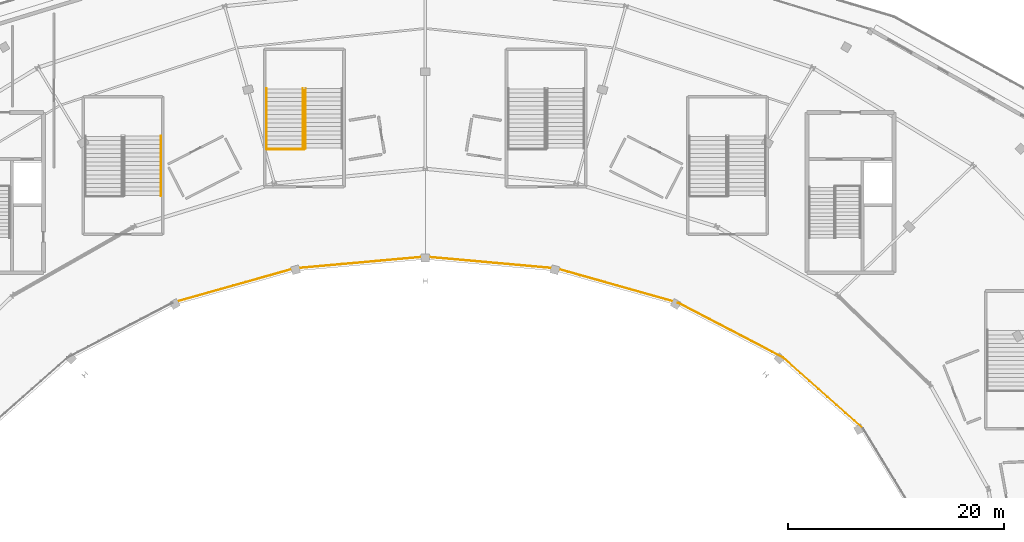
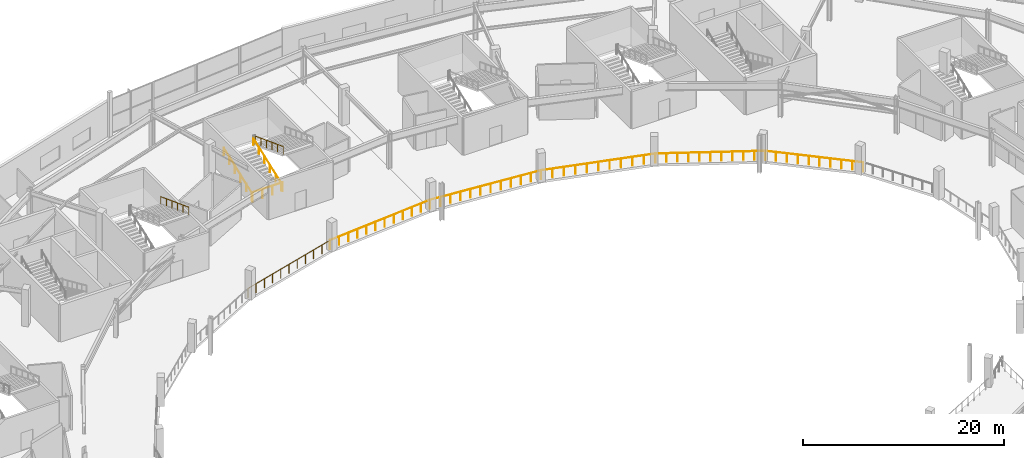
# One storey, part 115 of 123: 11 railings.
"""IFC4 building model written with IfcOpenShell, lengths in metres."""

from ifc_helpers import new_model, si_unit, direction, frame, origin, origin_2d, place, context, subcontext, project, spatial, circle, extrude, material, type_object, element, save


model = new_model("IFC4")

# Units and contexts
model_context = context("Model", 3, precision=1e-05, world=origin(), true_north=direction((0.0, 1.0)))
body_context = subcontext(model_context, "Body", "Model", "MODEL_VIEW")
ifc_project = project(units=[si_unit("LENGTHUNIT", "METRE"), si_unit("AREAUNIT", "SQUARE_METRE"), si_unit("VOLUMEUNIT", "CUBIC_METRE"), si_unit("PLANEANGLEUNIT", "RADIAN"), si_unit("MASSUNIT", "GRAM", prefix="KILO")], contexts=[model_context])

# Site, building, storey
site_placement = place(None, origin())
site = spatial("IfcSite", under=ifc_project, at=site_placement, CompositionType="ELEMENT")
building_placement = place(site_placement, origin())
building = spatial("IfcBuilding", under=site, at=building_placement, Name="Kalgoora Escarpment Arena", CompositionType="ELEMENT")
storey_placement = place(building_placement, frame((0.0, 0.0, 9.89990234375)))
storey = spatial("IfcBuildingStorey", under=building, at=storey_placement, Name="L02", CompositionType="ELEMENT", Elevation=9.89990234375)

# Railings
ifc_material_1 = material(Name="Galvanised & powdercoated tubular steel", Category="steel")
railing_type_1 = type_object("IfcRailingType", Name="RAL-GUARD-1120", PredefinedType="GUARDRAIL", material=ifc_material_1)
railing_1_placement = place(storey_placement, frame((77.7099609375, 105.81005859375, 0.0)))
element("IfcRailing", 1, at=railing_1_placement, inside=storey, type_object=railing_type_1, Name="ST10 L02 floor landing well guard", PredefinedType="GUARDRAIL", context=body_context, shape_type="SweptSolid", body=[
    extrude(circle(Radius=0.02392578125, at=origin_2d()), frame((0.0, 0.0, 1.09619140625), z_axis=(1.0, 0.0, 0.0), x_axis=(0.0, 1.0, 0.0)), (0.0, 0.0, 1.0), 3.489990234375),
    extrude(circle(Radius=0.02099609375, at=origin_2d()), origin(), (0.0, 0.0, 1.0), 1.072021484375),
    extrude(circle(Radius=0.02099609375, at=origin_2d()), frame((1.163330078125, 0.0, 0.0)), (0.0, 0.0, 1.0), 1.072021484375),
    extrude(circle(Radius=0.02099609375, at=origin_2d()), frame((2.32666015625, 0.0, 0.0)), (0.0, 0.0, 1.0), 1.072021484375),
    extrude(circle(Radius=0.02099609375, at=origin_2d()), frame((3.489990234375, 0.0, 0.0)), (0.0, 0.0, 1.0), 1.072021484375),
])
railing_2_placement = place(storey_placement, frame((132.973388671875, 79.925048828125, 0.0)))
element("IfcRailing", 2, at=railing_2_placement, inside=storey, type_object=railing_type_1, Name="L02 concourse bowl balustrade 03", PredefinedType="GUARDRAIL", context=body_context, shape_type="SweptSolid", body=[
    extrude(circle(Radius=0.02392578125, at=origin_2d()), frame((0.0, 0.0, 1.09619140625), z_axis=(-0.748487582417, 0.663148806051, 0.0), x_axis=(-0.663148806051, -0.748487582417, 0.0)), (0.0, 0.0, 1.0), 9.947021484375),
    extrude(circle(Radius=0.02099609375, at=origin_2d()), origin(), (0.0, 0.0, 1.0), 1.072021484375),
    extrude(circle(Radius=0.02099609375, at=origin_2d()), frame((-0.8271484375, 0.73291015625, 0.0)), (0.0, 0.0, 1.0), 1.072021484375),
    extrude(circle(Radius=0.02099609375, at=origin_2d()), frame((-1.654541015625, 1.4658203125, 0.0)), (0.0, 0.0, 1.0), 1.072021484375),
    extrude(circle(Radius=0.02099609375, at=origin_2d()), frame((-2.481689453125, 2.19873046875, 0.0)), (0.0, 0.0, 1.0), 1.072021484375),
    extrude(circle(Radius=0.02099609375, at=origin_2d()), frame((-3.30908203125, 2.931640625, 0.0)), (0.0, 0.0, 1.0), 1.072021484375),
    extrude(circle(Radius=0.02099609375, at=origin_2d()), frame((-4.13623046875, 3.664794921875, 0.0)), (0.0, 0.0, 1.0), 1.072021484375),
    extrude(circle(Radius=0.02099609375, at=origin_2d()), frame((-4.963623046875, 4.397705078125, 0.0)), (0.0, 0.0, 1.0), 1.072021484375),
    extrude(circle(Radius=0.02099609375, at=origin_2d()), frame((-5.790771484375, 5.130615234375, 0.0)), (0.0, 0.0, 1.0), 1.072021484375),
    extrude(circle(Radius=0.02099609375, at=origin_2d()), frame((-6.6181640625, 5.863525390625, 0.0)), (0.0, 0.0, 1.0), 1.072021484375),
    extrude(circle(Radius=0.02099609375, at=origin_2d()), frame((-7.4453125, 6.596435546875, 0.0)), (0.0, 0.0, 1.0), 1.072021484375),
])
railing_3_placement = place(storey_placement, frame((125.528076171875, 86.521484375, 0.0)))
element("IfcRailing", 3, at=railing_3_placement, inside=storey, type_object=railing_type_1, Name="L02 concourse bowl balustrade 04", PredefinedType="GUARDRAIL", context=body_context, shape_type="SweptSolid", body=[
    extrude(circle(Radius=0.02392578125, at=origin_2d()), frame((0.0, 0.0, 1.09619140625), z_axis=(-0.886621438299, 0.462495865007, 0.0), x_axis=(-0.462495865007, -0.886621438299, 0.0)), (0.0, 0.0, 1.0), 10.94384765625),
    extrude(circle(Radius=0.02099609375, at=origin_2d()), origin(), (0.0, 0.0, 1.0), 1.072021484375),
    extrude(circle(Radius=0.02099609375, at=origin_2d()), frame((-0.97021484375, 0.506103515625, 0.0)), (0.0, 0.0, 1.0), 1.072021484375),
    extrude(circle(Radius=0.02099609375, at=origin_2d()), frame((-1.940673828125, 1.01220703125, 0.0)), (0.0, 0.0, 1.0), 1.072021484375),
    extrude(circle(Radius=0.02099609375, at=origin_2d()), frame((-2.910888671875, 1.5185546875, 0.0)), (0.0, 0.0, 1.0), 1.072021484375),
    extrude(circle(Radius=0.02099609375, at=origin_2d()), frame((-3.88134765625, 2.024658203125, 0.0)), (0.0, 0.0, 1.0), 1.072021484375),
    extrude(circle(Radius=0.02099609375, at=origin_2d()), frame((-4.8515625, 2.53076171875, 0.0)), (0.0, 0.0, 1.0), 1.072021484375),
    extrude(circle(Radius=0.02099609375, at=origin_2d()), frame((-5.82177734375, 3.036865234375, 0.0)), (0.0, 0.0, 1.0), 1.072021484375),
    extrude(circle(Radius=0.02099609375, at=origin_2d()), frame((-6.792236328125, 3.54296875, 0.0)), (0.0, 0.0, 1.0), 1.072021484375),
    extrude(circle(Radius=0.02099609375, at=origin_2d()), frame((-7.762451171875, 4.04931640625, 0.0)), (0.0, 0.0, 1.0), 1.072021484375),
    extrude(circle(Radius=0.02099609375, at=origin_2d()), frame((-8.73291015625, 4.555419921875, 0.0)), (0.0, 0.0, 1.0), 1.072021484375),
    extrude(circle(Radius=0.02099609375, at=origin_2d()), frame((-9.703125, 5.0615234375, 0.0)), (0.0, 0.0, 1.0), 1.072021484375),
])
railing_4_placement = place(storey_placement, frame((115.824951171875, 91.5830078125, 0.0)))
element("IfcRailing", 4, at=railing_4_placement, inside=storey, type_object=railing_type_1, Name="L02 concourse bowl balustrade 05", PredefinedType="GUARDRAIL", context=body_context, shape_type="SweptSolid", body=[
    extrude(circle(Radius=0.02392578125, at=origin_2d()), frame((0.0, 0.0, 1.09619140625), z_axis=(-0.962568569832, 0.271038278425, 0.0), x_axis=(-0.271038278425, -0.962568569832, 0.0)), (0.0, 0.0, 1.0), 11.73876953125),
    extrude(circle(Radius=0.02099609375, at=origin_2d()), origin(), (0.0, 0.0, 1.0), 1.072021484375),
    extrude(circle(Radius=0.02099609375, at=origin_2d()), frame((-1.1298828125, 0.318115234375, 0.0)), (0.0, 0.0, 1.0), 1.072021484375),
    extrude(circle(Radius=0.02099609375, at=origin_2d()), frame((-2.259765625, 0.63623046875, 0.0)), (0.0, 0.0, 1.0), 1.072021484375),
    extrude(circle(Radius=0.02099609375, at=origin_2d()), frame((-3.389892578125, 0.95458984375, 0.0)), (0.0, 0.0, 1.0), 1.072021484375),
    extrude(circle(Radius=0.02099609375, at=origin_2d()), frame((-4.519775390625, 1.272705078125, 0.0)), (0.0, 0.0, 1.0), 1.072021484375),
    extrude(circle(Radius=0.02099609375, at=origin_2d()), frame((-5.649658203125, 1.5908203125, 0.0)), (0.0, 0.0, 1.0), 1.072021484375),
    extrude(circle(Radius=0.02099609375, at=origin_2d()), frame((-6.779541015625, 1.908935546875, 0.0)), (0.0, 0.0, 1.0), 1.072021484375),
    extrude(circle(Radius=0.02099609375, at=origin_2d()), frame((-7.909423828125, 2.22705078125, 0.0)), (0.0, 0.0, 1.0), 1.072021484375),
    extrude(circle(Radius=0.02099609375, at=origin_2d()), frame((-9.03955078125, 2.54541015625, 0.0)), (0.0, 0.0, 1.0), 1.072021484375),
    extrude(circle(Radius=0.02099609375, at=origin_2d()), frame((-10.16943359375, 2.863525390625, 0.0)), (0.0, 0.0, 1.0), 1.072021484375),
    extrude(circle(Radius=0.02099609375, at=origin_2d()), frame((-11.29931640625, 3.181640625, 0.0)), (0.0, 0.0, 1.0), 1.072021484375),
])
railing_5_placement = place(storey_placement, frame((104.525634765625, 94.7646484375, 0.0)))
element("IfcRailing", 5, at=railing_5_placement, inside=storey, type_object=railing_type_1, Name="L02 concourse bowl balustrade 06", PredefinedType="GUARDRAIL", context=body_context, shape_type="SweptSolid", body=[
    extrude(circle(Radius=0.02392578125, at=origin_2d()), frame((0.0, 0.0, 1.09619140625), z_axis=(-0.996017346232, 0.089159665801, 0.0), x_axis=(-0.089159665801, -0.996017346232, 0.0)), (0.0, 0.0, 1.0), 12.17431640625),
    extrude(circle(Radius=0.02099609375, at=origin_2d()), origin(), (0.0, 0.0, 1.0), 1.072021484375),
    extrude(circle(Radius=0.02099609375, at=origin_2d()), frame((-1.102294921875, 0.0986328125, 0.0)), (0.0, 0.0, 1.0), 1.072021484375),
    extrude(circle(Radius=0.02099609375, at=origin_2d()), frame((-2.20458984375, 0.197265625, 0.0)), (0.0, 0.0, 1.0), 1.072021484375),
    extrude(circle(Radius=0.02099609375, at=origin_2d()), frame((-3.30712890625, 0.296142578125, 0.0)), (0.0, 0.0, 1.0), 1.072021484375),
    extrude(circle(Radius=0.02099609375, at=origin_2d()), frame((-4.409423828125, 0.394775390625, 0.0)), (0.0, 0.0, 1.0), 1.072021484375),
    extrude(circle(Radius=0.02099609375, at=origin_2d()), frame((-5.51171875, 0.493408203125, 0.0)), (0.0, 0.0, 1.0), 1.072021484375),
    extrude(circle(Radius=0.02099609375, at=origin_2d()), frame((-6.614013671875, 0.592041015625, 0.0)), (0.0, 0.0, 1.0), 1.072021484375),
    extrude(circle(Radius=0.02099609375, at=origin_2d()), frame((-7.71630859375, 0.690673828125, 0.0)), (0.0, 0.0, 1.0), 1.072021484375),
    extrude(circle(Radius=0.02099609375, at=origin_2d()), frame((-8.818603515625, 0.789306640625, 0.0)), (0.0, 0.0, 1.0), 1.072021484375),
    extrude(circle(Radius=0.02099609375, at=origin_2d()), frame((-9.921142578125, 0.88818359375, 0.0)), (0.0, 0.0, 1.0), 1.072021484375),
    extrude(circle(Radius=0.02099609375, at=origin_2d()), frame((-11.0234375, 0.98681640625, 0.0)), (0.0, 0.0, 1.0), 1.072021484375),
    extrude(circle(Radius=0.02099609375, at=origin_2d()), frame((-12.125732421875, 1.08544921875, 0.0)), (0.0, 0.0, 1.0), 1.072021484375),
])
railing_6_placement = place(storey_placement, frame((92.39990234375, 95.85009765625, 0.0)))
element("IfcRailing", 6, at=railing_6_placement, inside=storey, type_object=railing_type_1, Name="L02 concourse bowl balustrade 07", PredefinedType="GUARDRAIL", context=body_context, shape_type="SweptSolid", body=[
    extrude(circle(Radius=0.02392578125, at=origin_2d()), frame((0.0, 0.0, 1.09619140625), z_axis=(-0.996017186809, -0.089161446715, 0.0), x_axis=(0.089161446715, -0.996017186809, 0.0)), (0.0, 0.0, 1.0), 12.174072265625),
    extrude(circle(Radius=0.02099609375, at=origin_2d()), origin(), (0.0, 0.0, 1.0), 1.072021484375),
    extrude(circle(Radius=0.02099609375, at=origin_2d()), frame((-1.102294921875, -0.0986328125, 0.0)), (0.0, 0.0, 1.0), 1.072021484375),
    extrude(circle(Radius=0.02099609375, at=origin_2d()), frame((-2.20458984375, -0.197265625, 0.0)), (0.0, 0.0, 1.0), 1.072021484375),
    extrude(circle(Radius=0.02099609375, at=origin_2d()), frame((-3.306884765625, -0.296142578125, 0.0)), (0.0, 0.0, 1.0), 1.072021484375),
    extrude(circle(Radius=0.02099609375, at=origin_2d()), frame((-4.4091796875, -0.394775390625, 0.0)), (0.0, 0.0, 1.0), 1.072021484375),
    extrude(circle(Radius=0.02099609375, at=origin_2d()), frame((-5.511474609375, -0.493408203125, 0.0)), (0.0, 0.0, 1.0), 1.072021484375),
    extrude(circle(Radius=0.02099609375, at=origin_2d()), frame((-6.614013671875, -0.592041015625, 0.0)), (0.0, 0.0, 1.0), 1.072021484375),
    extrude(circle(Radius=0.02099609375, at=origin_2d()), frame((-7.71630859375, -0.690673828125, 0.0)), (0.0, 0.0, 1.0), 1.072021484375),
    extrude(circle(Radius=0.02099609375, at=origin_2d()), frame((-8.818603515625, -0.789306640625, 0.0)), (0.0, 0.0, 1.0), 1.072021484375),
    extrude(circle(Radius=0.02099609375, at=origin_2d()), frame((-9.9208984375, -0.88818359375, 0.0)), (0.0, 0.0, 1.0), 1.072021484375),
    extrude(circle(Radius=0.02099609375, at=origin_2d()), frame((-11.023193359375, -0.98681640625, 0.0)), (0.0, 0.0, 1.0), 1.072021484375),
    extrude(circle(Radius=0.02099609375, at=origin_2d()), frame((-12.12548828125, -1.08544921875, 0.0)), (0.0, 0.0, 1.0), 1.072021484375),
])
railing_7_placement = place(storey_placement, frame((80.2744140625, 94.7646484375, 0.0)))
element("IfcRailing", 7, at=railing_7_placement, inside=storey, type_object=railing_type_1, Name="L02 concourse bowl balustrade 08", PredefinedType="GUARDRAIL", context=body_context, shape_type="SweptSolid", body=[
    extrude(circle(Radius=0.02392578125, at=origin_2d()), frame((0.0, 0.0, 1.09619140625), z_axis=(-0.962568569832, -0.271038278425, 0.0), x_axis=(0.271038278425, -0.962568569832, 0.0)), (0.0, 0.0, 1.0), 11.73876953125),
    extrude(circle(Radius=0.02099609375, at=origin_2d()), origin(), (0.0, 0.0, 1.0), 1.072021484375),
    extrude(circle(Radius=0.02099609375, at=origin_2d()), frame((-1.1298828125, -0.318115234375, 0.0)), (0.0, 0.0, 1.0), 1.072021484375),
    extrude(circle(Radius=0.02099609375, at=origin_2d()), frame((-2.259765625, -0.63623046875, 0.0)), (0.0, 0.0, 1.0), 1.072021484375),
    extrude(circle(Radius=0.02099609375, at=origin_2d()), frame((-3.389892578125, -0.95458984375, 0.0)), (0.0, 0.0, 1.0), 1.072021484375),
    extrude(circle(Radius=0.02099609375, at=origin_2d()), frame((-4.519775390625, -1.272705078125, 0.0)), (0.0, 0.0, 1.0), 1.072021484375),
    extrude(circle(Radius=0.02099609375, at=origin_2d()), frame((-5.649658203125, -1.5908203125, 0.0)), (0.0, 0.0, 1.0), 1.072021484375),
    extrude(circle(Radius=0.02099609375, at=origin_2d()), frame((-6.779541015625, -1.908935546875, 0.0)), (0.0, 0.0, 1.0), 1.072021484375),
    extrude(circle(Radius=0.02099609375, at=origin_2d()), frame((-7.909423828125, -2.22705078125, 0.0)), (0.0, 0.0, 1.0), 1.072021484375),
    extrude(circle(Radius=0.02099609375, at=origin_2d()), frame((-9.03955078125, -2.54541015625, 0.0)), (0.0, 0.0, 1.0), 1.072021484375),
    extrude(circle(Radius=0.02099609375, at=origin_2d()), frame((-10.16943359375, -2.863525390625, 0.0)), (0.0, 0.0, 1.0), 1.072021484375),
    extrude(circle(Radius=0.02099609375, at=origin_2d()), frame((-11.29931640625, -3.181640625, 0.0)), (0.0, 0.0, 1.0), 1.072021484375),
])
ifc_material_2 = material(Name="Brushed stainless steel 316 handrail", Category="steel")
railing_type_2 = type_object("IfcRailingType", Name="RAL-HAND-920", PredefinedType="HANDRAIL", material=ifc_material_2)
railing_8_placement = place(storey_placement, frame((67.89990234375, 107.050048828125, 2.360107421875)))
element("IfcRailing", 8, at=railing_8_placement, inside=storey, type_object=railing_type_2, Name="ST09 L02 pitched stair handrail F2R", PredefinedType="HANDRAIL", context=body_context, shape_type="SweptSolid", body=[
    extrude(circle(Radius=0.02392578125, at=origin_2d()), frame((0.0, 0.0, 0.89599609375), z_axis=(0.0, -0.935492612948, 0.353346248203), x_axis=(1.0, 0.0, 0.0)), (0.0, 0.0, 1.0), 5.943359375),
    extrude(circle(Radius=0.02099609375, at=origin_2d()), origin(), (0.0, 0.0, 1.0), 0.871826171875),
    extrude(circle(Radius=0.02099609375, at=origin_2d()), frame((0.0, -1.112060546875, 0.419921875)), (0.0, 0.0, 1.0), 0.871826171875),
    extrude(circle(Radius=0.02099609375, at=origin_2d()), frame((0.0, -2.22412109375, 0.840087890625)), (0.0, 0.0, 1.0), 0.871826171875),
    extrude(circle(Radius=0.02099609375, at=origin_2d()), frame((0.0, -3.3359375, 1.260009765625)), (0.0, 0.0, 1.0), 0.871826171875),
    extrude(circle(Radius=0.02099609375, at=origin_2d()), frame((0.0, -4.447998046875, 1.68017578125)), (0.0, 0.0, 1.0), 0.871826171875),
    extrude(circle(Radius=0.02099609375, at=origin_2d()), frame((0.0, -5.56005859375, 2.10009765625)), (0.0, 0.0, 1.0), 0.871826171875),
])
for number, where, name in (
    (9, (77.699951171875, 105.889892578125, 0.110107421875), "ST10 L02 pitched stair handrail F1L"),
    (10, (81.090087890625, 105.889892578125, 0.110107421875), "ST10 L02 pitched stair handrail F1R"),
):
    element("IfcRailing", number, at=place(storey_placement, frame(where)), inside=storey, type_object=railing_type_2, Name=name, PredefinedType="HANDRAIL", context=body_context, shape_type="SweptSolid", body=[
        extrude(circle(Radius=0.02392578125, at=origin_2d()), frame((0.0, 0.0, 0.89599609375), z_axis=(0.0, 0.935492612948, 0.353346248203), x_axis=(-1.0, 0.0, 0.0)), (0.0, 0.0, 1.0), 5.943359375),
        extrude(circle(Radius=0.02099609375, at=origin_2d()), origin(), (0.0, 0.0, 1.0), 0.871826171875),
        extrude(circle(Radius=0.02099609375, at=origin_2d()), frame((0.0, 1.112060546875, 0.419921875)), (0.0, 0.0, 1.0), 0.871826171875),
        extrude(circle(Radius=0.02099609375, at=origin_2d()), frame((0.0, 2.22412109375, 0.840087890625)), (0.0, 0.0, 1.0), 0.871826171875),
        extrude(circle(Radius=0.02099609375, at=origin_2d()), frame((0.0, 3.3359375, 1.260009765625)), (0.0, 0.0, 1.0), 0.871826171875),
        extrude(circle(Radius=0.02099609375, at=origin_2d()), frame((0.0, 4.447998046875, 1.68017578125)), (0.0, 0.0, 1.0), 0.871826171875),
        extrude(circle(Radius=0.02099609375, at=origin_2d()), frame((0.0, 5.56005859375, 2.10009765625)), (0.0, 0.0, 1.0), 0.871826171875),
    ])
railing_9_placement = place(storey_placement, frame((81.31005859375, 111.449951171875, 2.360107421875)))
element("IfcRailing", 11, at=railing_9_placement, inside=storey, type_object=railing_type_2, Name="ST10 L02 pitched stair handrail F2L", PredefinedType="HANDRAIL", context=body_context, shape_type="SweptSolid", body=[
    extrude(circle(Radius=0.02392578125, at=origin_2d()), frame((0.0, 0.0, 0.89599609375), z_axis=(0.0, -0.935492612948, 0.353346248203), x_axis=(1.0, 0.0, 0.0)), (0.0, 0.0, 1.0), 5.943359375),
    extrude(circle(Radius=0.02099609375, at=origin_2d()), origin(), (0.0, 0.0, 1.0), 0.871826171875),
    extrude(circle(Radius=0.02099609375, at=origin_2d()), frame((0.0, -1.112060546875, 0.419921875)), (0.0, 0.0, 1.0), 0.871826171875),
    extrude(circle(Radius=0.02099609375, at=origin_2d()), frame((0.0, -2.22412109375, 0.840087890625)), (0.0, 0.0, 1.0), 0.871826171875),
    extrude(circle(Radius=0.02099609375, at=origin_2d()), frame((0.0, -3.3359375, 1.260009765625)), (0.0, 0.0, 1.0), 0.871826171875),
    extrude(circle(Radius=0.02099609375, at=origin_2d()), frame((0.0, -4.447998046875, 1.68017578125)), (0.0, 0.0, 1.0), 0.871826171875),
    extrude(circle(Radius=0.02099609375, at=origin_2d()), frame((0.0, -5.56005859375, 2.10009765625)), (0.0, 0.0, 1.0), 0.871826171875),
])

save(model, "model.ifc")
